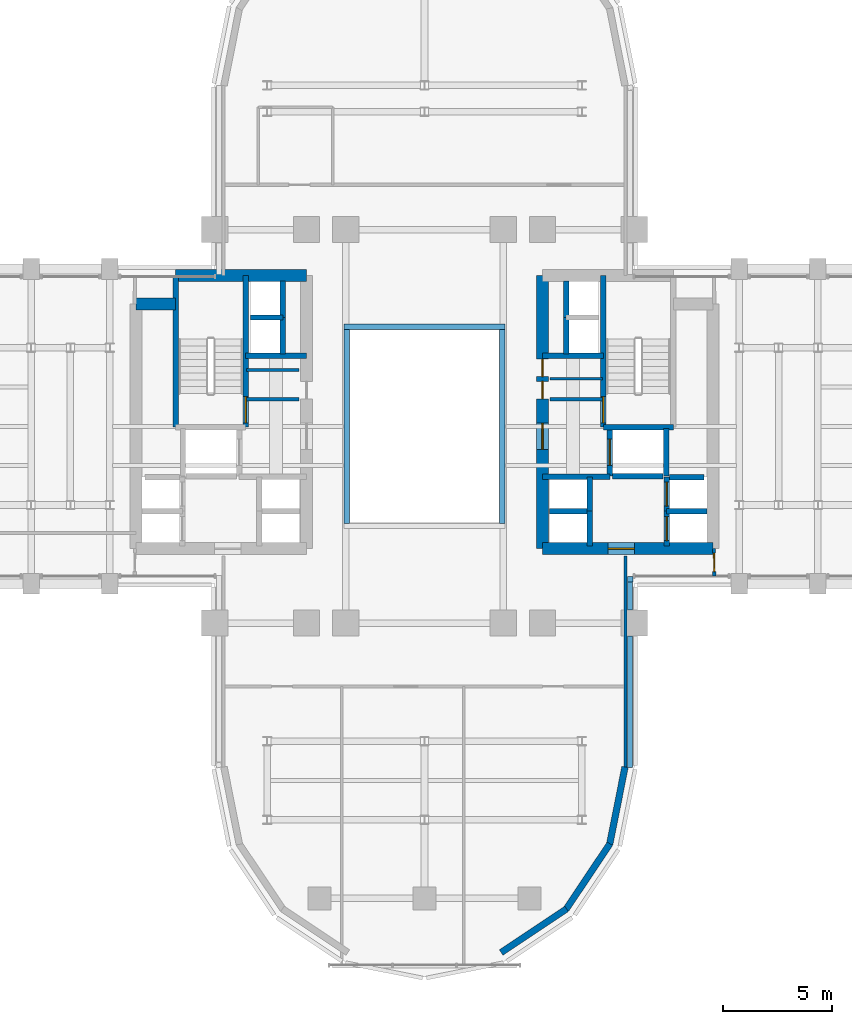
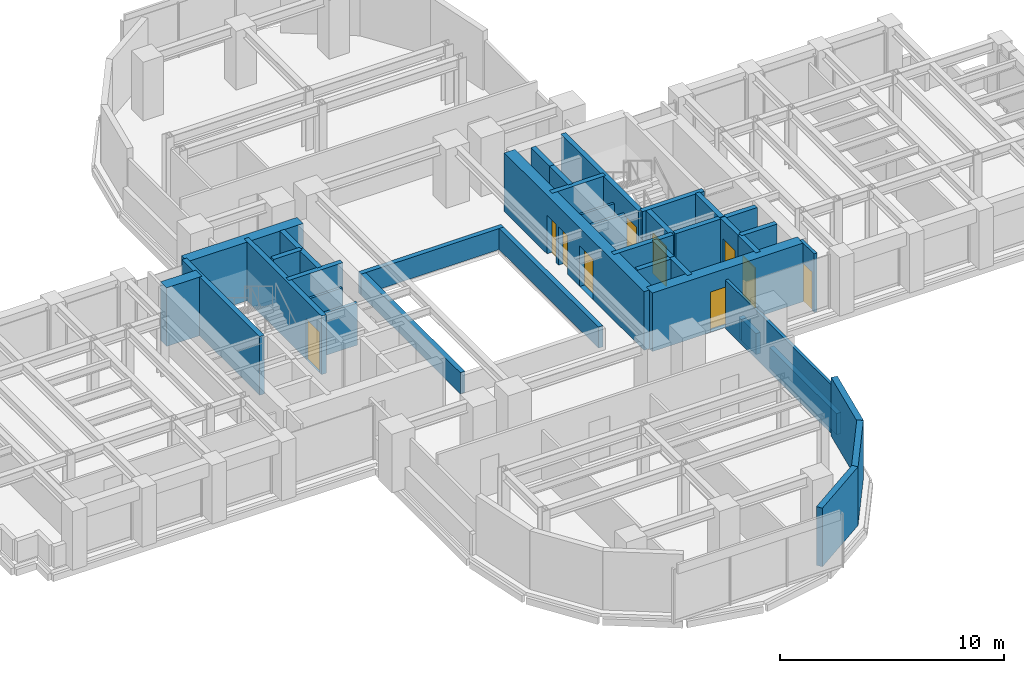
# One storey, part 11 of 16: 41 walls, 10 doors, 10 openings.
"""IFC4 building model written with IfcOpenShell, lengths in metres."""

from ifc_helpers import new_model, si_unit, direction, frame, frame_2d, origin, place, context, subcontext, project, spatial, rectangle, extrude, source, transform, mapped, material, layer, layer_set, type_object, element, fill, save


model = new_model("IFC4")

# Units and contexts
model_context = context("Model", 3, precision=1e-05, world=origin(), true_north=direction((0.0, 1.0)))
body_context = subcontext(model_context, "Body", "Model", "MODEL_VIEW")
ifc_project = project(units=[si_unit("LENGTHUNIT", "METRE"), si_unit("AREAUNIT", "SQUARE_METRE"), si_unit("VOLUMEUNIT", "CUBIC_METRE"), si_unit("PLANEANGLEUNIT", "RADIAN"), si_unit("MASSUNIT", "GRAM", prefix="KILO")], contexts=[model_context])

# Site, building, storey
site_placement = place(None, origin())
site = spatial("IfcSite", under=ifc_project, at=site_placement, CompositionType="ELEMENT")
building_placement = place(site_placement, origin())
building = spatial("IfcBuilding", under=site, at=building_placement, Name="Keilestroom Media Tower", CompositionType="ELEMENT")
storey_placement = place(building_placement, frame((0.0, 0.0, 57.800048828125)))
storey = spatial("IfcBuildingStorey", under=building, at=storey_placement, Name="L14", CompositionType="ELEMENT", Elevation=57.800048828125)

# Walls
ifc_material_1 = material(Name="Precast concrete C40/50", Category="concrete")
ifc_layer_1 = layer(ifc_material_1, 0.300048828125)
ifc_layer_set_1 = layer_set([ifc_layer_1], Name="Precast concrete C40/50")
wall_type_1 = type_object("IfcWallType", Name="Exterior-Masonry-Spandrel-Wall-300", PredefinedType="SOLIDWALL", material=ifc_layer_set_1)
wall_1_placement = place(storey_placement, frame((3.510009765625, -24.073486328125, 0.0), z_axis=(0.0, 0.0, 1.0), x_axis=(0.8314749531, 0.555562239868, 0.0)))
element("IfcWall", 1, at=wall_1_placement, inside=storey, type_object=wall_type_1, Name="L14 Lobe Facet Precast Frame Wall 10", PredefinedType="SOLIDWALL", context=body_context, shape_type="SweptSolid", body=[
    extrude(rectangle(XDim=3.59326171875, YDim=0.300048828125, at=frame_2d((1.796630859375, 0.0))), origin(), (0.0, 0.0, 1.0), 3.199951171875),
])
for number, where, z_axis, x_axis, name in (
    (2, (6.47705078125, -22.097900390625, 0.0), (0.0, 0.0, 1.0), (0.555574187116, 0.831466970246, 0.0), "L14 Lobe Facet Precast Frame Wall 11"),
    (3, (8.470703125, -19.12451171875, 0.0), (0.0, 0.0, 1.0), (0.195114232679, 0.980780523974, 0.0), "L14 Lobe Facet Precast Frame Wall 12"),
):
    element("IfcWall", number, at=place(storey_placement, frame(where, z_axis=z_axis, x_axis=x_axis)), inside=storey, type_object=wall_type_1, Name=name, PredefinedType="SOLIDWALL", context=body_context, shape_type="SweptSolid", body=[
        extrude(rectangle(XDim=3.608642578125, YDim=0.300048828125, at=frame_2d((1.80419921875, 0.0))), origin(), (0.0, 0.0, 1.0), 3.199951171875),
    ])
ifc_material_2 = material(Name="Gypsum Plasterboard & Steel Stud", Category="steel")
ifc_layer_2 = layer(ifc_material_2, 0.1201171875)
ifc_layer_set_2 = layer_set([ifc_layer_2], Name="Gypsum Plasterboard & Steel Stud")
wall_type_2 = type_object("IfcWallType", Name="Interior-Partition-Wall-120", PredefinedType="PARTITIONING", material=ifc_layer_set_2)
for number, where, z_axis, x_axis, name in (
    (4, (-8.139892578125, 2.580078125, 0.0), (0.0, 0.0, 1.0), (1.0, 0.0, 0.0), "L14 Interior Wall WP-L14-CNW-N"),
    (5, (5.75, 2.179931640625, 0.0), (0.0, 0.0, 1.0), (1.0, 0.0, 0.0), "L14 Interior Wall WP-L14-CNE-N"),
):
    element("IfcWall", number, at=place(storey_placement, frame(where, z_axis=z_axis, x_axis=x_axis)), inside=storey, type_object=wall_type_2, Name=name, PredefinedType="PARTITIONING", context=body_context, shape_type="SweptSolid", body=[
        extrude(rectangle(XDim=2.389892578125, YDim=0.1201171875, at=frame_2d((1.19482421875, 0.0))), origin(), (0.0, 0.0, 1.0), 2.300048828125),
    ])
ifc_layer_3 = layer(ifc_material_2, 0.14990234375)
ifc_layer_set_3 = layer_set([ifc_layer_3], Name="Gypsum Plasterboard & Steel Stud")
wall_type_3 = type_object("IfcWallType", Name="Interior-Partition-Wall-150", PredefinedType="PARTITIONING", material=ifc_layer_set_3)
for number, where, z_axis, x_axis, name in (
    (6, (-8.139892578125, 1.239990234375, 0.0), (0.0, 0.0, 1.0), (1.0, 0.0, 0.0), "L14 Interior Wall WP-L14-FFW-TOP"),
    (7, (5.75, 1.239990234375, 0.0), (0.0, 0.0, 1.0), (1.0, 0.0, 0.0), "L14 Interior Wall WP-L14-FFE-TOP"),
):
    element("IfcWall", number, at=place(storey_placement, frame(where, z_axis=z_axis, x_axis=x_axis)), inside=storey, type_object=wall_type_3, Name=name, PredefinedType="PARTITIONING", context=body_context, shape_type="SweptSolid", body=[
        extrude(rectangle(XDim=2.389892578125, YDim=0.14990234375, at=frame_2d((1.19482421875, 0.0))), origin(), (0.0, 0.0, 1.0), 2.300048828125),
    ])
wall_2_placement = place(storey_placement, frame((9.199951171875, -15.679931640625, 0.0), z_axis=(0.0, 0.0, 1.0), x_axis=(0.0, 1.0, 0.0)))
element("IfcWall", 8, at=wall_2_placement, inside=storey, type_object=wall_type_3, Name="L14 Interior Wall WP-L14-SL-CHKE", PredefinedType="PARTITIONING", context=body_context, shape_type="SweptSolid", body=[
    extrude(rectangle(XDim=9.739990234375, YDim=0.14990234375, at=frame_2d((4.8701171875, 0.0))), origin(), (0.0, 0.0, 1.0), 2.64990234375),
])

# Wall, opening, door
wall_3_placement = place(storey_placement, frame((13.260009765625, -6.85009765625, 0.0), z_axis=(0.0, 0.0, 1.0), x_axis=(-0.016013571389, 0.999871774545, 0.0)))
wall_3 = element("IfcWall", 9, at=wall_3_placement, inside=storey, type_object=wall_type_3, Name="L14 Interior Wall WP-L14-EA-ENTS", PredefinedType="PARTITIONING", context=body_context, shape_type="SweptSolid", body=[
    extrude(rectangle(XDim=1.250244140625, YDim=0.14990234375, at=frame_2d((0.625, 0.0))), origin(), (0.0, 0.0, 1.0), 3.199951171875),
])
opening_1_placement = place(wall_3_placement, frame((0.199951171875, 0.0, 0.0)))
opening_1 = element("IfcOpeningElement", 10, at=opening_1_placement, cuts=wall_3, Name="Opening DI-05", PredefinedType="OPENING", context=body_context, shape_type="SweptSolid", body=[
    extrude(rectangle(XDim=0.85009765625, YDim=2.10009765625, at=frame_2d((0.425048828125, 1.050048828125))), frame((0.0, 0.0849609375, 0.0), z_axis=(0.0, -1.0, 0.0), x_axis=(1.0, 0.0, 0.0)), (0.0, 0.0, 1.0), 0.169921875),
])
ifc_material_3 = material(Name="Moisture-Resistant Oak Leaf", Category="wood")
door_type_1 = type_object("IfcDoorType", Name="Interior-En-Suite-And-Cupboard-Door-DI-05", OperationType="NOTDEFINED", PredefinedType="DOOR", material=ifc_material_3)
shared_shape_1 = source(origin(), body_context, "Body", "SweptSolid", [
    extrude(rectangle(XDim=0.85009765625, YDim=2.10009765625, at=frame_2d((0.425048828125, 1.050048828125))), frame((0.0, 0.02490234375, 0.0), z_axis=(0.0, -1.0, 0.0), x_axis=(1.0, 0.0, 0.0)), (0.0, 0.0, 1.0), 0.050048828125),
])
door_1_placement = place(opening_1_placement, origin())
door_1 = element("IfcDoor", 11, at=door_1_placement, inside=storey, type_object=door_type_1, Name="L14 Interior Door DI-L14-DEA-W", OperationType="SINGLE_SWING_LEFT", OverallHeight=2.10009765625, OverallWidth=0.85009765625, PredefinedType="DOOR", context=body_context, shape_type="MappedRepresentation", body=[
    mapped(shared_shape_1, transform((0.0, 0.0, 0.0), x_axis=(1.0, 0.0, 0.0), y_axis=(0.0, 1.0, 0.0), z_axis=(0.0, 0.0, 1.0), scale=1.0)),
])
fill(opening_1, door_1)

# Walls
ifc_material_4 = material(Name="Concrete C70/85", Category="concrete")
ifc_layer_4 = layer(ifc_material_4, 0.550048828125)
ifc_layer_set_4 = layer_set([ifc_layer_4], Name="Concrete C70/85")
wall_type_4 = type_object("IfcWallType", Name="Reinforced-Concrete-Core-Shear-Wall-550", PredefinedType="SHEAR", material=ifc_layer_set_4)
wall_4_placement = place(storey_placement, frame((-11.381103515625, 6.89990234375, 0.0), z_axis=(0.0, 0.0, 1.0), x_axis=(1.0, 0.0, 0.0)))
element("IfcWall", 12, at=wall_4_placement, inside=storey, type_object=wall_type_4, Name="L14 Core Shear Wall WL-L14-CORE-W-N", PredefinedType="SHEAR", context=body_context, shape_type="SweptSolid", body=[
    extrude(rectangle(XDim=5.981201171875, YDim=0.550048828125, at=frame_2d((2.99072265625, 0.0))), origin(), (0.0, 0.0, 1.0), 3.199951171875),
])
wall_5_placement = place(storey_placement, frame((-13.199951171875, 5.60009765625, 0.0), z_axis=(0.0, 0.0, 1.0), x_axis=(1.0, 0.0, 0.0)))
element("IfcWall", 13, at=wall_5_placement, inside=storey, type_object=wall_type_4, Name="L14 Core Shear Wall WL-L14-CNW-N", PredefinedType="SHEAR", context=body_context, shape_type="SweptSolid", body=[
    extrude(rectangle(XDim=1.81884765625, YDim=0.550048828125, at=frame_2d((0.909423828125, 0.0))), origin(), (0.0, 0.0, 1.0), 3.199951171875),
])

# Wall, openings, doors
wall_6_placement = place(storey_placement, frame((5.39990234375, -5.60009765625, 0.0), z_axis=(0.0, 0.0, 1.0), x_axis=(0.0, 1.0, 0.0)))
wall_6 = element("IfcWall", 14, at=wall_6_placement, inside=storey, type_object=wall_type_4, Name="L14 Core Shear Wall WL-L14-CORE-E-IN", PredefinedType="SHEAR", context=body_context, shape_type="SweptSolid", body=[
    extrude(rectangle(XDim=12.5, YDim=0.550048828125, at=frame_2d((6.25, 0.0))), origin(), (0.0, 0.0, 1.0), 3.199951171875),
])
opening_2_placement = place(wall_6_placement, frame((4.550048828125, 0.0, 0.0)))
opening_2 = element("IfcOpeningElement", 15, at=opening_2_placement, cuts=wall_6, Name="Opening DI-02", PredefinedType="OPENING", context=body_context, shape_type="SweptSolid", body=[
    extrude(rectangle(XDim=1.199951171875, YDim=2.199951171875, at=frame_2d((0.60009765625, 1.10009765625))), frame((0.0, 0.28515625, 0.0), z_axis=(0.0, -1.0, 0.0), x_axis=(1.0, 0.0, 0.0)), (0.0, 0.0, 1.0), 0.570068359375),
])
opening_3_placement = place(wall_6_placement, frame((6.860107421875, 0.0, 0.0)))
opening_3 = element("IfcOpeningElement", 16, at=opening_3_placement, cuts=wall_6, Name="Opening DI-06", PredefinedType="OPENING", context=body_context, shape_type="SweptSolid", body=[
    extrude(rectangle(XDim=0.800048828125, YDim=2.10009765625, at=frame_2d((0.39990234375, 1.050048828125))), frame((0.0, 0.28515625, 0.0), z_axis=(0.0, -1.0, 0.0), x_axis=(1.0, 0.0, 0.0)), (0.0, 0.0, 1.0), 0.570068359375),
])
opening_4_placement = place(wall_6_placement, frame((7.8798828125, 0.0, 0.0)))
opening_4 = element("IfcOpeningElement", 17, at=opening_4_placement, cuts=wall_6, Name="Opening DI-06", PredefinedType="OPENING", context=body_context, shape_type="SweptSolid", body=[
    extrude(rectangle(XDim=0.800048828125, YDim=2.10009765625, at=frame_2d((0.39990234375, 1.050048828125))), frame((0.0, 0.28515625, 0.0), z_axis=(0.0, -1.0, 0.0), x_axis=(1.0, 0.0, 0.0)), (0.0, 0.0, 1.0), 0.570068359375),
])
ifc_material_5 = material(Name="Powder-Coated Steel Fire Leaf", Category="steel")
door_type_2 = type_object("IfcDoorType", Name="Interior-Compartment-Fire-Door-DI-02", OperationType="NOTDEFINED", PredefinedType="DOOR", material=ifc_material_5)
shared_shape_2 = source(origin(), body_context, "Body", "SweptSolid", [
    extrude(rectangle(XDim=1.199951171875, YDim=2.199951171875, at=frame_2d((0.60009765625, 1.10009765625))), frame((0.0, 0.02490234375, 0.0), z_axis=(0.0, -1.0, 0.0), x_axis=(1.0, 0.0, 0.0)), (0.0, 0.0, 1.0), 0.050048828125),
])
door_2_placement = place(opening_2_placement, origin())
door_2 = element("IfcDoor", 18, at=door_2_placement, inside=storey, type_object=door_type_2, Name="L14 E Firefighting Lobby Door", OperationType="SINGLE_SWING_LEFT", OverallHeight=2.199951171875, OverallWidth=1.199951171875, PredefinedType="DOOR", context=body_context, shape_type="MappedRepresentation", body=[
    mapped(shared_shape_2, transform((0.0, 0.0, 0.0), x_axis=(1.0, 0.0, 0.0), y_axis=(0.0, 1.0, 0.0), z_axis=(0.0, 0.0, 1.0), scale=1.0)),
])
fill(opening_2, door_2)
ifc_material_6 = material(Name="Powder-Coated Steel Service Leaf", Category="steel")
door_type_3 = type_object("IfcDoorType", Name="Interior-Riser-Access-Door-DI-06", OperationType="NOTDEFINED", PredefinedType="DOOR", material=ifc_material_6)
shared_shape_3 = source(origin(), body_context, "Body", "SweptSolid", [
    extrude(rectangle(XDim=0.800048828125, YDim=2.10009765625, at=frame_2d((0.39990234375, 1.050048828125))), frame((0.0, 0.02490234375, 0.0), z_axis=(0.0, -1.0, 0.0), x_axis=(1.0, 0.0, 0.0)), (0.0, 0.0, 1.0), 0.050048828125),
])
door_3_placement = place(opening_3_placement, origin())
door_3 = element("IfcDoor", 19, at=door_3_placement, inside=storey, type_object=door_type_3, Name="L14 East Core Telecom Door", OperationType="SINGLE_SWING_RIGHT", OverallHeight=2.10009765625, OverallWidth=0.800048828125, PredefinedType="DOOR", context=body_context, shape_type="MappedRepresentation", body=[
    mapped(shared_shape_3, transform((0.0, 0.0, 0.0), x_axis=(1.0, 0.0, 0.0), y_axis=(0.0, 1.0, 0.0), z_axis=(0.0, 0.0, 1.0), scale=1.0)),
])
fill(opening_3, door_3)
door_4_placement = place(opening_4_placement, origin())
door_4 = element("IfcDoor", 20, at=door_4_placement, inside=storey, type_object=door_type_3, Name="L14 East Core Closet Door", OperationType="SINGLE_SWING_RIGHT", OverallHeight=2.10009765625, OverallWidth=0.800048828125, PredefinedType="DOOR", context=body_context, shape_type="MappedRepresentation", body=[
    mapped(shared_shape_3, transform((0.0, 0.0, 0.0), x_axis=(1.0, 0.0, 0.0), y_axis=(0.0, 1.0, 0.0), z_axis=(0.0, 0.0, 1.0), scale=1.0)),
])
fill(opening_4, door_4)

# Wall, opening, door
wall_7_placement = place(storey_placement, frame((5.39990234375, -5.60009765625, 0.0), z_axis=(0.0, 0.0, 1.0), x_axis=(1.0, 0.0, 0.0)))
wall_7 = element("IfcWall", 21, at=wall_7_placement, inside=storey, type_object=wall_type_4, Name="L14 Core Shear Wall WL-L14-CORE-E-S", PredefinedType="SHEAR", context=body_context, shape_type="SweptSolid", body=[
    extrude(rectangle(XDim=7.800048828125, YDim=0.550048828125, at=frame_2d((3.89990234375, 0.0))), origin(), (0.0, 0.0, 1.0), 3.199951171875),
])
opening_5_placement = place(wall_7_placement, frame((3.0, 0.0, 0.0)))
opening_5 = element("IfcOpeningElement", 22, at=opening_5_placement, cuts=wall_7, Name="Opening DI-02", PredefinedType="OPENING", context=body_context, shape_type="SweptSolid", body=[
    extrude(rectangle(XDim=1.199951171875, YDim=2.199951171875, at=frame_2d((0.60009765625, 1.10009765625))), frame((0.0, 0.28515625, 0.0), z_axis=(0.0, -1.0, 0.0), x_axis=(1.0, 0.0, 0.0)), (0.0, 0.0, 1.0), 0.570068359375),
])
door_5_placement = place(opening_5_placement, origin())
door_5 = element("IfcDoor", 23, at=door_5_placement, inside=storey, type_object=door_type_2, Name="L14 E Passenger Lift Lobby Door", OperationType="SINGLE_SWING_RIGHT", OverallHeight=2.199951171875, OverallWidth=1.199951171875, PredefinedType="DOOR", context=body_context, shape_type="MappedRepresentation", body=[
    mapped(shared_shape_2, transform((0.0, 0.0, 0.0), x_axis=(1.0, 0.0, 0.0), y_axis=(0.0, 1.0, 0.0), z_axis=(0.0, 0.0, 1.0), scale=1.0)),
])
fill(opening_5, door_5)

# Wall
ifc_material_7 = material(Name="Concrete C50/60", Category="concrete")
ifc_layer_5 = layer(ifc_material_7, 0.25)
ifc_layer_set_5 = layer_set([ifc_layer_5], Name="Concrete C50/60")
wall_type_5 = type_object("IfcWallType", Name="Reinforced-Concrete-Shaft-Wall-250", PredefinedType="SOLIDWALL", material=ifc_layer_set_5)
wall_8_placement = place(storey_placement, frame((-8.179931640625, 3.219970703125, 0.0), z_axis=(0.0, 0.0, 1.0), x_axis=(1.0, 0.0, 0.0)))
element("IfcWall", 24, at=wall_8_placement, inside=storey, type_object=wall_type_5, Name="L14 Core Shear Wall WL-L14-CORE-W-FFN", PredefinedType="SOLIDWALL", context=body_context, shape_type="SweptSolid", body=[
    extrude(rectangle(XDim=2.780029296875, YDim=0.25, at=frame_2d((1.39013671875, 0.0))), origin(), (0.0, 0.0, 1.0), 3.199951171875),
])

# Wall, opening, door
wall_9_placement = place(storey_placement, frame((-8.178955078125, -0.041015625, 0.0), z_axis=(0.0, 0.0, 1.0), x_axis=(0.0, 1.0, 0.0)))
wall_9 = element("IfcWall", 25, at=wall_9_placement, inside=storey, type_object=wall_type_5, Name="L14 Core Shear Wall WL-L14-STW-W-NEAR", PredefinedType="SOLIDWALL", context=body_context, shape_type="SweptSolid", body=[
    extrude(rectangle(XDim=6.94091796875, YDim=0.25, at=frame_2d((3.470458984375, 0.0))), origin(), (0.0, 0.0, 1.0), 3.199951171875),
])
opening_6_placement = place(wall_9_placement, frame((0.199951171875, 0.0, 0.0)))
opening_6 = element("IfcOpeningElement", 26, at=opening_6_placement, cuts=wall_9, Name="Opening DI-01S", PredefinedType="OPENING", context=body_context, shape_type="SweptSolid", body=[
    extrude(rectangle(XDim=1.199951171875, YDim=2.199951171875, at=frame_2d((0.60009765625, 1.10009765625))), frame((0.0, 0.135009765625, 0.0), z_axis=(0.0, -1.0, 0.0), x_axis=(1.0, 0.0, 0.0)), (0.0, 0.0, 1.0), 0.27001953125),
])
door_type_4 = type_object("IfcDoorType", Name="Interior-Stair-And-Core-Fire-Door-DI-01", OperationType="NOTDEFINED", PredefinedType="DOOR", material=ifc_material_5)
door_6_placement = place(opening_6_placement, origin())
door_6 = element("IfcDoor", 27, at=door_6_placement, inside=storey, type_object=door_type_4, Name="L14 Escape Stair ST-1 Fire Door", OperationType="SINGLE_SWING_LEFT", OverallHeight=2.199951171875, OverallWidth=1.199951171875, PredefinedType="DOOR", context=body_context, shape_type="MappedRepresentation", body=[
    mapped(shared_shape_2, transform((0.0, 0.0, 0.0), x_axis=(1.0, 0.0, 0.0), y_axis=(0.0, 1.0, 0.0), z_axis=(0.0, 0.0, 1.0), scale=1.0)),
])
fill(opening_6, door_6)

# Walls
wall_10_placement = place(storey_placement, frame((-11.381103515625, -0.041015625, 0.0), z_axis=(0.0, 0.0, 1.0), x_axis=(0.0, 1.0, 0.0)))
element("IfcWall", 28, at=wall_10_placement, inside=storey, type_object=wall_type_5, Name="L14 Core Shear Wall WL-L14-STW-W-FAR", PredefinedType="SOLIDWALL", context=body_context, shape_type="SweptSolid", body=[
    extrude(rectangle(XDim=6.94091796875, YDim=0.25, at=frame_2d((3.470458984375, 0.0))), origin(), (0.0, 0.0, 1.0), 3.199951171875),
])
wall_11_placement = place(storey_placement, frame((5.39990234375, 3.219970703125, 0.0), z_axis=(0.0, 0.0, 1.0), x_axis=(1.0, 0.0, 0.0)))
element("IfcWall", 29, at=wall_11_placement, inside=storey, type_object=wall_type_5, Name="L14 Core Shear Wall WL-L14-CORE-E-FFN", PredefinedType="SOLIDWALL", context=body_context, shape_type="SweptSolid", body=[
    extrude(rectangle(XDim=2.780029296875, YDim=0.25, at=frame_2d((1.39013671875, 0.0))), origin(), (0.0, 0.0, 1.0), 3.199951171875),
])
wall_12_placement = place(storey_placement, frame((5.39990234375, -2.300048828125, 0.0), z_axis=(0.0, 0.0, 1.0), x_axis=(1.0, 0.0, 0.0)))
element("IfcWall", 30, at=wall_12_placement, inside=storey, type_object=wall_type_5, Name="L14 Core Shear Wall WL-L14-CORE-E-FFS", PredefinedType="SOLIDWALL", context=body_context, shape_type="SweptSolid", body=[
    extrude(rectangle(XDim=3.080078125, YDim=0.25, at=frame_2d((1.5400390625, 0.0))), origin(), (0.0, 0.0, 1.0), 3.199951171875),
])

# Wall, opening, door
wall_13_placement = place(storey_placement, frame((8.178955078125, -0.041015625, 0.0), z_axis=(0.0, 0.0, 1.0), x_axis=(0.0, 1.0, 0.0)))
wall_13 = element("IfcWall", 31, at=wall_13_placement, inside=storey, type_object=wall_type_5, Name="L14 Core Shear Wall WL-L14-STW-E-NEAR", PredefinedType="SOLIDWALL", context=body_context, shape_type="SweptSolid", body=[
    extrude(rectangle(XDim=6.94091796875, YDim=0.25, at=frame_2d((3.470458984375, 0.0))), origin(), (0.0, 0.0, 1.0), 3.199951171875),
])
opening_7_placement = place(wall_13_placement, frame((0.199951171875, 0.0, 0.0)))
opening_7 = element("IfcOpeningElement", 32, at=opening_7_placement, cuts=wall_13, Name="Opening DI-01S", PredefinedType="OPENING", context=body_context, shape_type="SweptSolid", body=[
    extrude(rectangle(XDim=1.199951171875, YDim=2.199951171875, at=frame_2d((0.60009765625, 1.10009765625))), frame((0.0, 0.135009765625, 0.0), z_axis=(0.0, -1.0, 0.0), x_axis=(1.0, 0.0, 0.0)), (0.0, 0.0, 1.0), 0.27001953125),
])
door_7_placement = place(opening_7_placement, origin())
door_7 = element("IfcDoor", 33, at=door_7_placement, inside=storey, type_object=door_type_4, Name="L14 Escape Stair ST-2 Fire Door", OperationType="SINGLE_SWING_RIGHT", OverallHeight=2.199951171875, OverallWidth=1.199951171875, PredefinedType="DOOR", context=body_context, shape_type="MappedRepresentation", body=[
    mapped(shared_shape_2, transform((0.0, 0.0, 0.0), x_axis=(1.0, 0.0, 0.0), y_axis=(0.0, 1.0, 0.0), z_axis=(0.0, 0.0, 1.0), scale=1.0)),
])
fill(opening_7, door_7)

# Wall
wall_14_placement = place(storey_placement, frame((8.178955078125, -0.041015625, 0.0), z_axis=(0.0, 0.0, 1.0), x_axis=(1.0, 0.0, 0.0)))
element("IfcWall", 34, at=wall_14_placement, inside=storey, type_object=wall_type_5, Name="L14 Core Shear Wall WL-L14-STW-E-S", PredefinedType="SOLIDWALL", context=body_context, shape_type="SweptSolid", body=[
    extrude(rectangle(XDim=3.2021484375, YDim=0.25, at=frame_2d((1.60107421875, 0.0))), origin(), (0.0, 0.0, 1.0), 3.199951171875),
])

# Wall, opening, door
wall_15_placement = place(storey_placement, frame((8.47998046875, -2.280029296875, 0.0), z_axis=(0.0, 0.0, 1.0), x_axis=(0.0, 1.0, 0.0)))
wall_15 = element("IfcWall", 35, at=wall_15_placement, inside=storey, type_object=wall_type_5, Name="L14 Core Shear Wall WL-L14-LSH-FFL-2-W", PredefinedType="SOLIDWALL", context=body_context, shape_type="SweptSolid", body=[
    extrude(rectangle(XDim=2.179931640625, YDim=0.25, at=frame_2d((1.08984375, 0.0))), origin(), (0.0, 0.0, 1.0), 3.199951171875),
])
opening_8_placement = place(wall_15_placement, frame((0.489990234375, 0.0, 0.0)))
opening_8 = element("IfcOpeningElement", 36, at=opening_8_placement, cuts=wall_15, Name="Opening LD-02", PredefinedType="OPENING", context=body_context, shape_type="SweptSolid", body=[
    extrude(rectangle(XDim=1.199951171875, YDim=2.199951171875, at=frame_2d((0.60009765625, 1.10009765625))), frame((0.0, 0.135009765625, 0.0), z_axis=(0.0, -1.0, 0.0), x_axis=(1.0, 0.0, 0.0)), (0.0, 0.0, 1.0), 0.27001953125),
])
ifc_material_8 = material(Name="Brushed Stainless Steel Sliding Leaf", Category="steel")
door_type_5 = type_object("IfcDoorType", Name="Lift-Landing-Sliding-Door-LD-02", OperationType="SLIDING_TO_RIGHT", PredefinedType="DOOR", material=ifc_material_8)
door_8_placement = place(opening_8_placement, origin())
door_8 = element("IfcDoor", 37, at=door_8_placement, inside=storey, type_object=door_type_5, Name="L14 Lift FFL-2 Landing Sliding Door", OperationType="SLIDING_TO_RIGHT", OverallHeight=2.199951171875, OverallWidth=1.199951171875, PredefinedType="DOOR", context=body_context, shape_type="MappedRepresentation", body=[
    mapped(shared_shape_2, transform((0.0, 0.0, 0.0), x_axis=(1.0, 0.0, 0.0), y_axis=(0.0, 1.0, 0.0), z_axis=(0.0, 0.0, 1.0), scale=1.0)),
])
fill(opening_8, door_8)

# Walls
wall_16_placement = place(storey_placement, frame((11.050048828125, -2.280029296875, 0.0), z_axis=(0.0, 0.0, 1.0), x_axis=(0.0, 1.0, 0.0)))
element("IfcWall", 38, at=wall_16_placement, inside=storey, type_object=wall_type_5, Name="L14 Core Shear Wall WL-L14-LSH-FFL-2-E", PredefinedType="SOLIDWALL", context=body_context, shape_type="SweptSolid", body=[
    extrude(rectangle(XDim=2.179931640625, YDim=0.25, at=frame_2d((1.08984375, 0.0))), origin(), (0.0, 0.0, 1.0), 3.199951171875),
])
wall_17_placement = place(storey_placement, frame((8.60888671875, -2.280029296875, 0.0), z_axis=(0.0, 0.0, 1.0), x_axis=(1.0, 0.0, 0.0)))
element("IfcWall", 39, at=wall_17_placement, inside=storey, type_object=wall_type_5, Name="L14 Core Shear Wall WL-L14-LSH-FFL-2-S", PredefinedType="SOLIDWALL", context=body_context, shape_type="SweptSolid", body=[
    extrude(rectangle(XDim=2.31201171875, YDim=0.25, at=frame_2d((1.156005859375, 0.0))), origin(), (0.0, 0.0, 1.0), 3.199951171875),
])

# Wall, opening, door
wall_18_placement = place(storey_placement, frame((11.080078125, -5.47998046875, 0.0), z_axis=(0.0, 0.0, 1.0), x_axis=(0.0, 1.0, 0.0)))
wall_18 = element("IfcWall", 40, at=wall_18_placement, inside=storey, type_object=wall_type_5, Name="L14 Core Shear Wall WL-L14-LSH-PL-L3-W", PredefinedType="SOLIDWALL", context=body_context, shape_type="SweptSolid", body=[
    extrude(rectangle(XDim=1.60009765625, YDim=0.25, at=frame_2d((0.800048828125, 0.0))), origin(), (0.0, 0.0, 1.0), 3.199951171875),
])
opening_9_placement = place(wall_18_placement, frame((0.25, 0.0, 0.0)))
opening_9 = element("IfcOpeningElement", 41, at=opening_9_placement, cuts=wall_18, Name="Opening LD-01", PredefinedType="OPENING", context=body_context, shape_type="SweptSolid", body=[
    extrude(rectangle(XDim=1.10009765625, YDim=2.199951171875, at=frame_2d((0.550048828125, 1.10009765625))), frame((0.0, 0.135009765625, 0.0), z_axis=(0.0, -1.0, 0.0), x_axis=(1.0, 0.0, 0.0)), (0.0, 0.0, 1.0), 0.27001953125),
])
door_type_6 = type_object("IfcDoorType", Name="Lift-Landing-Sliding-Door-LD-01", OperationType="SLIDING_TO_LEFT", PredefinedType="DOOR", material=ifc_material_8)
shared_shape_4 = source(origin(), body_context, "Body", "SweptSolid", [
    extrude(rectangle(XDim=1.10009765625, YDim=2.199951171875, at=frame_2d((0.550048828125, 1.10009765625))), frame((0.0, 0.02490234375, 0.0), z_axis=(0.0, -1.0, 0.0), x_axis=(1.0, 0.0, 0.0)), (0.0, 0.0, 1.0), 0.050048828125),
])
door_9_placement = place(opening_9_placement, origin())
door_9 = element("IfcDoor", 42, at=door_9_placement, inside=storey, type_object=door_type_6, Name="L14 Lift PL-L3 Landing Sliding Door", OperationType="SLIDING_TO_LEFT", OverallHeight=2.199951171875, OverallWidth=1.10009765625, PredefinedType="DOOR", context=body_context, shape_type="MappedRepresentation", body=[
    mapped(shared_shape_4, transform((0.0, 0.0, 0.0), x_axis=(1.0, 0.0, 0.0), y_axis=(0.0, 1.0, 0.0), z_axis=(0.0, 0.0, 1.0), scale=1.0)),
])
fill(opening_9, door_9)

# Wall
wall_19_placement = place(storey_placement, frame((11.080078125, -3.8798828125, 0.0), z_axis=(0.0, 0.0, 1.0), x_axis=(1.0, 0.0, 0.0)))
element("IfcWall", 43, at=wall_19_placement, inside=storey, type_object=wall_type_5, Name="L14 Core Shear Wall WL-L14-LSH-PL-L3-N", PredefinedType="SOLIDWALL", context=body_context, shape_type="SweptSolid", body=[
    extrude(rectangle(XDim=1.83984375, YDim=0.25, at=frame_2d((0.919921875, 0.0))), origin(), (0.0, 0.0, 1.0), 3.199951171875),
])

# Wall, opening, door
wall_20_placement = place(storey_placement, frame((11.080078125, -3.8798828125, 0.0), z_axis=(0.0, 0.0, 1.0), x_axis=(0.0, 1.0, 0.0)))
wall_20 = element("IfcWall", 44, at=wall_20_placement, inside=storey, type_object=wall_type_5, Name="L14 Core Shear Wall WL-L14-LSH-PL-L4-W", PredefinedType="SOLIDWALL", context=body_context, shape_type="SweptSolid", body=[
    extrude(rectangle(XDim=1.559814453125, YDim=0.25, at=frame_2d((0.77978515625, 0.0))), origin(), (0.0, 0.0, 1.0), 3.199951171875),
])
opening_10_placement = place(wall_20_placement, frame((0.22998046875, 0.0, 0.0)))
opening_10 = element("IfcOpeningElement", 45, at=opening_10_placement, cuts=wall_20, Name="Opening LD-01", PredefinedType="OPENING", context=body_context, shape_type="SweptSolid", body=[
    extrude(rectangle(XDim=1.10009765625, YDim=2.199951171875, at=frame_2d((0.550048828125, 1.10009765625))), frame((0.0, 0.135009765625, 0.0), z_axis=(0.0, -1.0, 0.0), x_axis=(1.0, 0.0, 0.0)), (0.0, 0.0, 1.0), 0.27001953125),
])
door_10_placement = place(opening_10_placement, origin())
door_10 = element("IfcDoor", 46, at=door_10_placement, inside=storey, type_object=door_type_6, Name="L14 Lift PL-L4 Landing Sliding Door", OperationType="SLIDING_TO_LEFT", OverallHeight=2.199951171875, OverallWidth=1.10009765625, PredefinedType="DOOR", context=body_context, shape_type="MappedRepresentation", body=[
    mapped(shared_shape_4, transform((0.0, 0.0, 0.0), x_axis=(1.0, 0.0, 0.0), y_axis=(0.0, 1.0, 0.0), z_axis=(0.0, 0.0, 1.0), scale=1.0)),
])
fill(opening_10, door_10)

# Walls
wall_21_placement = place(storey_placement, frame((11.208984375, -2.320068359375, 0.0), z_axis=(0.0, 0.0, 1.0), x_axis=(1.0, 0.0, 0.0)))
element("IfcWall", 47, at=wall_21_placement, inside=storey, type_object=wall_type_5, Name="L14 Core Shear Wall WL-L14-LSH-PL-L4-N", PredefinedType="SOLIDWALL", context=body_context, shape_type="SweptSolid", body=[
    extrude(rectangle(XDim=1.58203125, YDim=0.25, at=frame_2d((0.791015625, 0.0))), origin(), (0.0, 0.0, 1.0), 3.199951171875),
])
wall_22_placement = place(storey_placement, frame((7.56005859375, -5.47998046875, 0.0), z_axis=(0.0, 0.0, 1.0), x_axis=(0.0, 1.0, 0.0)))
element("IfcWall", 48, at=wall_22_placement, inside=storey, type_object=wall_type_5, Name="L14 Core Shear Wall WL-L14-LSH-PL-M3-E", PredefinedType="SOLIDWALL", context=body_context, shape_type="SweptSolid", body=[
    extrude(rectangle(XDim=1.60009765625, YDim=0.25, at=frame_2d((0.800048828125, 0.0))), origin(), (0.0, 0.0, 1.0), 3.199951171875),
])
wall_23_placement = place(storey_placement, frame((5.719970703125, -3.8798828125, 0.0), z_axis=(0.0, 0.0, 1.0), x_axis=(1.0, 0.0, 0.0)))
element("IfcWall", 49, at=wall_23_placement, inside=storey, type_object=wall_type_5, Name="L14 Core Shear Wall WL-L14-LSH-PL-M3-N", PredefinedType="SOLIDWALL", context=body_context, shape_type="SweptSolid", body=[
    extrude(rectangle(XDim=1.840087890625, YDim=0.25, at=frame_2d((0.919921875, 0.0))), origin(), (0.0, 0.0, 1.0), 3.199951171875),
])
wall_24_placement = place(storey_placement, frame((7.56005859375, -3.8798828125, 0.0), z_axis=(0.0, 0.0, 1.0), x_axis=(0.0, 1.0, 0.0)))
element("IfcWall", 50, at=wall_24_placement, inside=storey, type_object=wall_type_5, Name="L14 Core Shear Wall WL-L14-LSH-PL-M4-E", PredefinedType="SOLIDWALL", context=body_context, shape_type="SweptSolid", body=[
    extrude(rectangle(XDim=1.559814453125, YDim=0.25, at=frame_2d((0.77978515625, 0.0))), origin(), (0.0, 0.0, 1.0), 3.199951171875),
])
wall_25_placement = place(storey_placement, frame((-6.47998046875, 3.300048828125, 0.0), z_axis=(0.0, 0.0, 1.0), x_axis=(0.0, 1.0, 0.0)))
element("IfcWall", 51, at=wall_25_placement, inside=storey, type_object=wall_type_5, Name="L14 Core Shear Wall WL-L14-LSH-PL-H1-E", PredefinedType="SOLIDWALL", context=body_context, shape_type="SweptSolid", body=[
    extrude(rectangle(XDim=1.679931640625, YDim=0.25, at=frame_2d((0.83984375, 0.0))), origin(), (0.0, 0.0, 1.0), 3.199951171875),
])
wall_26_placement = place(storey_placement, frame((-7.949951171875, 4.97998046875, 0.0), z_axis=(0.0, 0.0, 1.0), x_axis=(1.0, 0.0, 0.0)))
element("IfcWall", 52, at=wall_26_placement, inside=storey, type_object=wall_type_5, Name="L14 Core Shear Wall WL-L14-LSH-PL-H1-N", PredefinedType="SOLIDWALL", context=body_context, shape_type="SweptSolid", body=[
    extrude(rectangle(XDim=1.469970703125, YDim=0.25, at=frame_2d((0.73486328125, 0.0))), origin(), (0.0, 0.0, 1.0), 3.199951171875),
])
wall_27_placement = place(storey_placement, frame((-6.47998046875, 4.97998046875, 0.0), z_axis=(0.0, 0.0, 1.0), x_axis=(0.0, 1.0, 0.0)))
element("IfcWall", 53, at=wall_27_placement, inside=storey, type_object=wall_type_5, Name="L14 Core Shear Wall WL-L14-LSH-PL-H2-E", PredefinedType="SOLIDWALL", context=body_context, shape_type="SweptSolid", body=[
    extrude(rectangle(XDim=1.669921875, YDim=0.25, at=frame_2d((0.8349609375, 0.0))), origin(), (0.0, 0.0, 1.0), 3.199951171875),
])
wall_28_placement = place(storey_placement, frame((6.47998046875, 3.300048828125, 0.0), z_axis=(0.0, 0.0, 1.0), x_axis=(0.0, 1.0, 0.0)))
element("IfcWall", 54, at=wall_28_placement, inside=storey, type_object=wall_type_5, Name="L14 Core Shear Wall WL-L14-LSH-PL-H3-W", PredefinedType="SOLIDWALL", context=body_context, shape_type="SweptSolid", body=[
    extrude(rectangle(XDim=1.679931640625, YDim=0.25, at=frame_2d((0.83984375, 0.0))), origin(), (0.0, 0.0, 1.0), 3.199951171875),
])
wall_29_placement = place(storey_placement, frame((6.47998046875, 4.97998046875, 0.0), z_axis=(0.0, 0.0, 1.0), x_axis=(0.0, 1.0, 0.0)))
element("IfcWall", 55, at=wall_29_placement, inside=storey, type_object=wall_type_5, Name="L14 Core Shear Wall WL-L14-LSH-PL-H4-W", PredefinedType="SOLIDWALL", context=body_context, shape_type="SweptSolid", body=[
    extrude(rectangle(XDim=1.669921875, YDim=0.25, at=frame_2d((0.8349609375, 0.0))), origin(), (0.0, 0.0, 1.0), 3.199951171875),
])
ifc_layer_6 = layer(ifc_material_1, 0.239990234375)
ifc_layer_set_6 = layer_set([ifc_layer_6], Name="Precast concrete C40/50")
wall_type_6 = type_object("IfcWallType", Name="Roof-And-Terrace-Parapet-Wall-240", PredefinedType="PARAPET", material=ifc_layer_set_6)
wall_30_placement = place(storey_placement, frame((9.547119140625, -7.0, 0.0), z_axis=(0.0, 0.0, 1.0), x_axis=(-1.0, 0.0, 0.0)))
element("IfcWall", 56, at=wall_30_placement, inside=storey, type_object=wall_type_6, Name="L14 Perimeter Edge Parapet Wall 06", PredefinedType="PARAPET", context=body_context, shape_type="SweptSolid", body=[
    extrude(rectangle(XDim=0.26904296875, YDim=0.239990234375, at=frame_2d((0.134521484375, 0.0))), origin(), (0.0, 0.0, 1.0), 1.14990234375),
])
wall_31_placement = place(storey_placement, frame((9.39990234375, -7.123046875, 0.0), z_axis=(0.0, 0.0, 1.0), x_axis=(0.0, -1.0, 0.0)))
element("IfcWall", 57, at=wall_31_placement, inside=storey, type_object=wall_type_6, Name="L14 Perimeter Edge Parapet Wall 07", PredefinedType="PARAPET", context=body_context, shape_type="SweptSolid", body=[
    extrude(rectangle(XDim=1.27392578125, YDim=0.239990234375, at=frame_2d((0.636962890625, 0.0))), origin(), (0.0, 0.0, 1.0), 1.14990234375),
])
wall_32_placement = place(storey_placement, frame((9.39990234375, -9.60302734375, 0.0), z_axis=(0.0, 0.0, 1.0), x_axis=(0.0, -1.0, 0.0)))
element("IfcWall", 58, at=wall_32_placement, inside=storey, type_object=wall_type_6, Name="L14 Perimeter Edge Parapet Wall 08", PredefinedType="PARAPET", context=body_context, shape_type="SweptSolid", body=[
    extrude(rectangle(XDim=5.999755859375, YDim=0.239990234375, at=frame_2d((3.0, 0.0))), origin(), (0.0, 0.0, 1.0), 1.14990234375),
])
wall_33_placement = place(storey_placement, frame((-3.679931640625, 4.56005859375, 0.0), z_axis=(0.0, 0.0, 1.0), x_axis=(1.0, 0.0, 0.0)))
element("IfcWall", 59, at=wall_33_placement, inside=storey, type_object=wall_type_6, Name="L14 Central Atrium Guard Parapet N", PredefinedType="PARAPET", context=body_context, shape_type="SweptSolid", body=[
    extrude(rectangle(XDim=7.35986328125, YDim=0.239990234375, at=frame_2d((3.679931640625, 0.0))), origin(), (0.0, 0.0, 1.0), 1.14990234375),
])
for number, where, z_axis, x_axis, name in (
    (60, (-3.56005859375, -4.43505859375, 0.0), (0.0, 0.0, 1.0), (0.0, 1.0, 0.0), "L14 Central Atrium Guard Parapet W"),
    (61, (3.56005859375, -4.43505859375, 0.0), (0.0, 0.0, 1.0), (0.0, 1.0, 0.0), "L14 Central Atrium Guard Parapet E"),
):
    element("IfcWall", number, at=place(storey_placement, frame(where, z_axis=z_axis, x_axis=x_axis)), inside=storey, type_object=wall_type_6, Name=name, PredefinedType="PARAPET", context=body_context, shape_type="SweptSolid", body=[
        extrude(rectangle(XDim=8.8701171875, YDim=0.239990234375, at=frame_2d((4.43505859375, 0.0))), origin(), (0.0, 0.0, 1.0), 1.14990234375),
    ])

save(model, "model.ifc")
